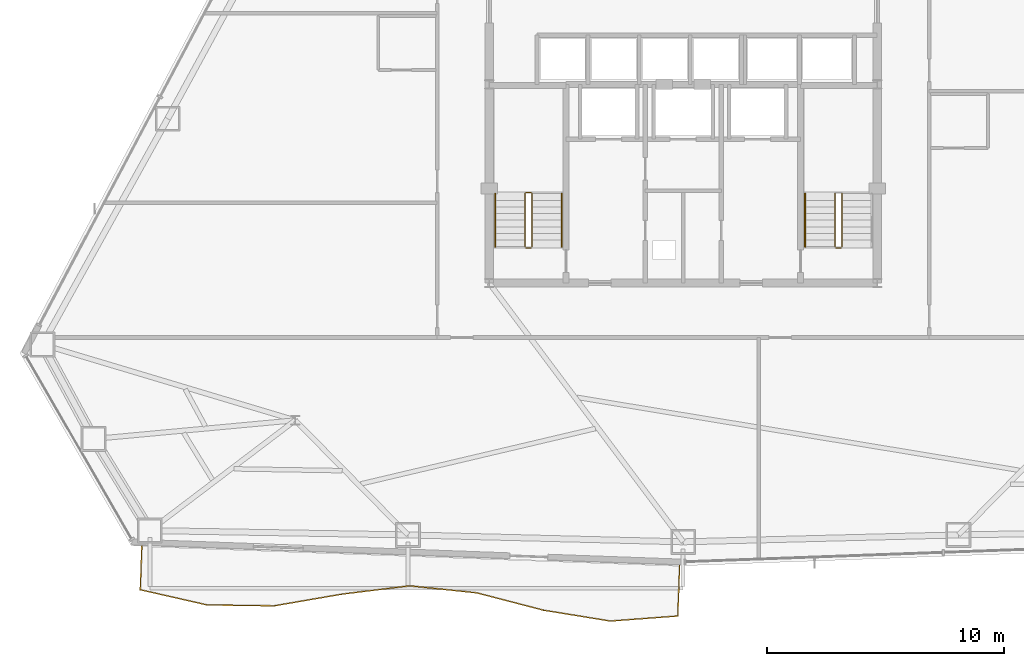
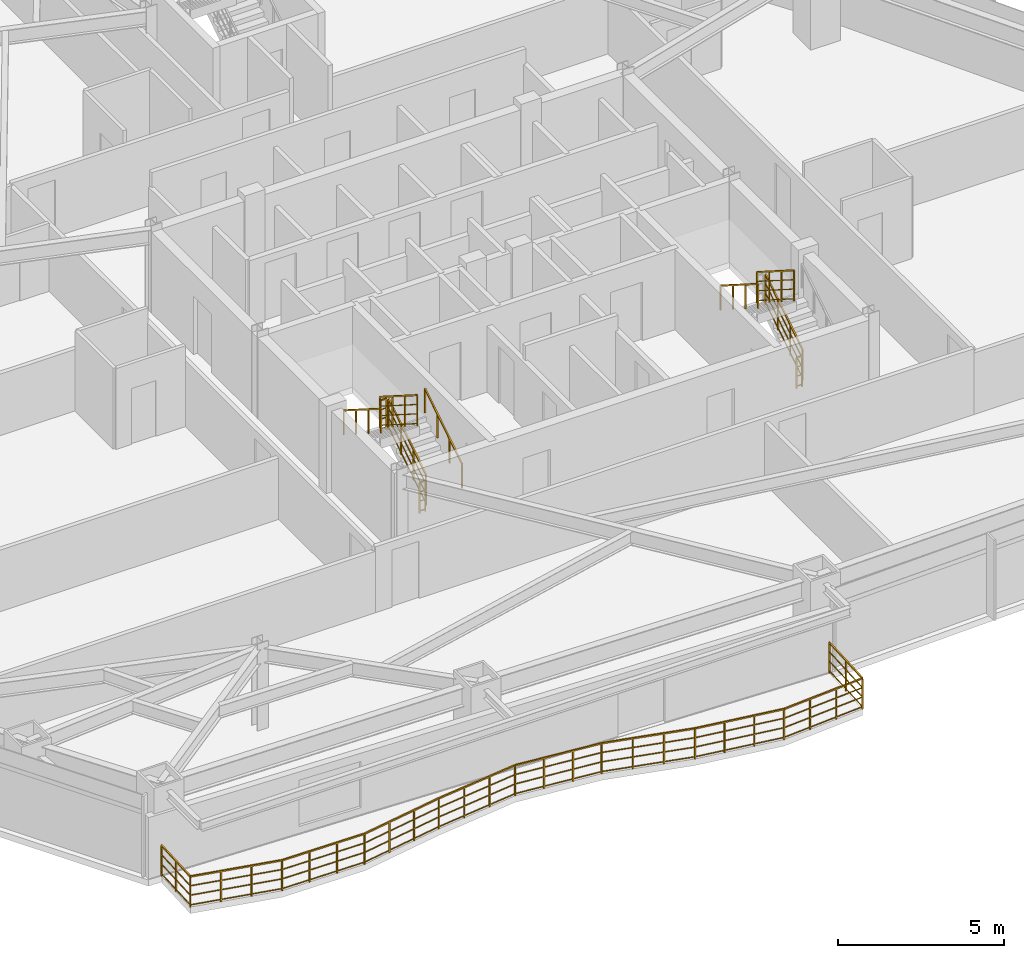
# One storey, part 12 of 13: 20 railings.
"""IFC4 building model written with IfcOpenShell, lengths in metres."""

from ifc_helpers import new_model, si_unit, direction, frame, origin, origin_2d, place, context, subcontext, project, spatial, rectangle, extrude, material, type_object, element, save


model = new_model("IFC4")

# Units and contexts
model_context = context("Model", 3, precision=1e-05, world=origin(), true_north=direction((0.0, 1.0)))
body_context = subcontext(model_context, "Body", "Model", "MODEL_VIEW")
ifc_project = project(units=[si_unit("LENGTHUNIT", "METRE"), si_unit("AREAUNIT", "SQUARE_METRE"), si_unit("VOLUMEUNIT", "CUBIC_METRE"), si_unit("PLANEANGLEUNIT", "RADIAN"), si_unit("MASSUNIT", "GRAM", prefix="KILO")], contexts=[model_context])

# Site, building, storey
site_placement = place(None, origin())
site = spatial("IfcSite", under=ifc_project, at=site_placement, CompositionType="ELEMENT")
building_placement = place(site_placement, origin())
building = spatial("IfcBuilding", under=site, at=building_placement, Name="Varakhsha Concourse Tower", CompositionType="ELEMENT")
storey_placement = place(building_placement, frame((0.0, 0.0, 92.60009765625)))
storey = spatial("IfcBuildingStorey", under=building, at=storey_placement, Name="L26", CompositionType="ELEMENT", Elevation=92.60009765625)

# Railings
ifc_material_1 = material(Name="Laminated Structural Low-Iron Glass 52 mm", Category="glass")
railing_type_1 = type_object("IfcRailingType", Name="RL-BALUSTRADE-1150", PredefinedType="BALUSTRADE", material=ifc_material_1)
railing_1_placement = place(storey_placement, frame((17.114013671875, 5.28369140625, 0.0)))
element("IfcRailing", 1, at=railing_1_placement, inside=storey, type_object=railing_type_1, Name="L26 Perimeter Safety Balustrade RL-LOG-L26-01", PredefinedType="BALUSTRADE", context=body_context, shape_type="SweptSolid", body=[
    extrude(rectangle(XDim=0.048095703125, YDim=0.048095703125, at=origin_2d()), frame((0.0, 0.0, 1.1259765625), z_axis=(-0.036552870275, -0.999331720539, 0.0), x_axis=(0.999331720539, -0.036552870275, 0.0)), (0.0, 0.0, 1.0), 1.85009765625),
    extrude(rectangle(XDim=0.028076171875, YDim=0.028076171875, at=origin_2d()), frame((0.0, 0.0, 0.080078125), z_axis=(-0.036552870275, -0.999331720539, 0.0), x_axis=(0.999331720539, -0.036552870275, 0.0)), (0.0, 0.0, 1.0), 1.85009765625),
    extrude(rectangle(XDim=0.028076171875, YDim=0.028076171875, at=origin_2d()), frame((0.0, 0.0, 0.43701171875), z_axis=(-0.036552870275, -0.999331720539, 0.0), x_axis=(0.999331720539, -0.036552870275, 0.0)), (0.0, 0.0, 1.0), 1.85009765625),
    extrude(rectangle(XDim=0.028076171875, YDim=0.028076171875, at=origin_2d()), frame((0.0, 0.0, 0.781982421875), z_axis=(-0.036552870275, -0.999331720539, 0.0), x_axis=(0.999331720539, -0.036552870275, 0.0)), (0.0, 0.0, 1.0), 1.85009765625),
    extrude(rectangle(XDim=0.0419921875, YDim=0.0419921875, at=origin_2d()), origin(), (0.0, 0.0, 1.0), 1.101806640625),
    extrude(rectangle(XDim=0.0419921875, YDim=0.0419921875, at=origin_2d()), frame((-0.03369140625, -0.92431640625, 0.0)), (0.0, 0.0, 1.0), 1.101806640625),
    extrude(rectangle(XDim=0.0419921875, YDim=0.0419921875, at=origin_2d()), frame((-0.067626953125, -1.848876953125, 0.0)), (0.0, 0.0, 1.0), 1.101806640625),
])
railing_2_placement = place(storey_placement, frame((17.04638671875, 3.434814453125, 0.0)))
element("IfcRailing", 2, at=railing_2_placement, inside=storey, type_object=railing_type_1, Name="L26 Perimeter Safety Balustrade RL-LOG-L26-02", PredefinedType="BALUSTRADE", context=body_context, shape_type="SweptSolid", body=[
    extrude(rectangle(XDim=0.048095703125, YDim=0.048095703125, at=origin_2d()), frame((0.0, 0.0, 1.1259765625), z_axis=(0.975069020941, -0.221901789992, 0.0), x_axis=(0.221901789992, 0.975069020941, 0.0)), (0.0, 0.0, 1.0), 2.894775390625),
    extrude(rectangle(XDim=0.028076171875, YDim=0.028076171875, at=origin_2d()), frame((0.0, 0.0, 0.080078125), z_axis=(0.975069020941, -0.221901789992, 0.0), x_axis=(0.221901789992, 0.975069020941, 0.0)), (0.0, 0.0, 1.0), 2.894775390625),
    extrude(rectangle(XDim=0.028076171875, YDim=0.028076171875, at=origin_2d()), frame((0.0, 0.0, 0.43701171875), z_axis=(0.975069020941, -0.221901789992, 0.0), x_axis=(0.221901789992, 0.975069020941, 0.0)), (0.0, 0.0, 1.0), 2.894775390625),
    extrude(rectangle(XDim=0.028076171875, YDim=0.028076171875, at=origin_2d()), frame((0.0, 0.0, 0.781982421875), z_axis=(0.975069020941, -0.221901789992, 0.0), x_axis=(0.221901789992, 0.975069020941, 0.0)), (0.0, 0.0, 1.0), 2.894775390625),
    extrude(rectangle(XDim=0.0419921875, YDim=0.0419921875, at=origin_2d()), origin(), (0.0, 0.0, 1.0), 1.101806640625),
    extrude(rectangle(XDim=0.0419921875, YDim=0.0419921875, at=origin_2d()), frame((0.94091796875, -0.214111328125, 0.0)), (0.0, 0.0, 1.0), 1.101806640625),
    extrude(rectangle(XDim=0.0419921875, YDim=0.0419921875, at=origin_2d()), frame((1.881591796875, -0.42822265625, 0.0)), (0.0, 0.0, 1.0), 1.101806640625),
    extrude(rectangle(XDim=0.0419921875, YDim=0.0419921875, at=origin_2d()), frame((2.822509765625, -0.642333984375, 0.0)), (0.0, 0.0, 1.0), 1.101806640625),
])
railing_3_placement = place(storey_placement, frame((19.868896484375, 2.79248046875, 0.0)))
element("IfcRailing", 3, at=railing_3_placement, inside=storey, type_object=railing_type_1, Name="L26 Perimeter Safety Balustrade RL-LOG-L26-03", PredefinedType="BALUSTRADE", context=body_context, shape_type="SweptSolid", body=[
    extrude(rectangle(XDim=0.048095703125, YDim=0.048095703125, at=origin_2d()), frame((0.0, 0.0, 1.1259765625), z_axis=(0.999912656993, -0.013216595071, 0.0), x_axis=(0.013216595071, 0.999912656993, 0.0)), (0.0, 0.0, 1.0), 2.8447265625),
    extrude(rectangle(XDim=0.028076171875, YDim=0.028076171875, at=origin_2d()), frame((0.0, 0.0, 0.080078125), z_axis=(0.999912656993, -0.013216595071, 0.0), x_axis=(0.013216595071, 0.999912656993, 0.0)), (0.0, 0.0, 1.0), 2.8447265625),
    extrude(rectangle(XDim=0.028076171875, YDim=0.028076171875, at=origin_2d()), frame((0.0, 0.0, 0.43701171875), z_axis=(0.999912656993, -0.013216595071, 0.0), x_axis=(0.013216595071, 0.999912656993, 0.0)), (0.0, 0.0, 1.0), 2.8447265625),
    extrude(rectangle(XDim=0.028076171875, YDim=0.028076171875, at=origin_2d()), frame((0.0, 0.0, 0.781982421875), z_axis=(0.999912656993, -0.013216595071, 0.0), x_axis=(0.013216595071, 0.999912656993, 0.0)), (0.0, 0.0, 1.0), 2.8447265625),
    extrude(rectangle(XDim=0.0419921875, YDim=0.0419921875, at=origin_2d()), origin(), (0.0, 0.0, 1.0), 1.101806640625),
    extrude(rectangle(XDim=0.0419921875, YDim=0.0419921875, at=origin_2d()), frame((0.9482421875, -0.012451171875, 0.0)), (0.0, 0.0, 1.0), 1.101806640625),
    extrude(rectangle(XDim=0.0419921875, YDim=0.0419921875, at=origin_2d()), frame((1.896240234375, -0.025146484375, 0.0)), (0.0, 0.0, 1.0), 1.101806640625),
    extrude(rectangle(XDim=0.0419921875, YDim=0.0419921875, at=origin_2d()), frame((2.844482421875, -0.03759765625, 0.0)), (0.0, 0.0, 1.0), 1.101806640625),
])
railing_4_placement = place(storey_placement, frame((22.71337890625, 2.7548828125, 0.0)))
element("IfcRailing", 4, at=railing_4_placement, inside=storey, type_object=railing_type_1, Name="L26 Perimeter Safety Balustrade RL-LOG-L26-04", PredefinedType="BALUSTRADE", context=body_context, shape_type="SweptSolid", body=[
    extrude(rectangle(XDim=0.048095703125, YDim=0.048095703125, at=origin_2d()), frame((0.0, 0.0, 1.1259765625), z_axis=(0.985479996749, 0.169791566362, 0.0), x_axis=(-0.169791566362, 0.985479996749, 0.0)), (0.0, 0.0, 1.0), 2.906005859375),
    extrude(rectangle(XDim=0.028076171875, YDim=0.028076171875, at=origin_2d()), frame((0.0, 0.0, 0.080078125), z_axis=(0.985479996749, 0.169791566362, 0.0), x_axis=(-0.169791566362, 0.985479996749, 0.0)), (0.0, 0.0, 1.0), 2.906005859375),
    extrude(rectangle(XDim=0.028076171875, YDim=0.028076171875, at=origin_2d()), frame((0.0, 0.0, 0.43701171875), z_axis=(0.985479996749, 0.169791566362, 0.0), x_axis=(-0.169791566362, 0.985479996749, 0.0)), (0.0, 0.0, 1.0), 2.906005859375),
    extrude(rectangle(XDim=0.028076171875, YDim=0.028076171875, at=origin_2d()), frame((0.0, 0.0, 0.781982421875), z_axis=(0.985479996749, 0.169791566362, 0.0), x_axis=(-0.169791566362, 0.985479996749, 0.0)), (0.0, 0.0, 1.0), 2.906005859375),
    extrude(rectangle(XDim=0.0419921875, YDim=0.0419921875, at=origin_2d()), origin(), (0.0, 0.0, 1.0), 1.101806640625),
    extrude(rectangle(XDim=0.0419921875, YDim=0.0419921875, at=origin_2d()), frame((0.95458984375, 0.16455078125, 0.0)), (0.0, 0.0, 1.0), 1.101806640625),
    extrude(rectangle(XDim=0.0419921875, YDim=0.0419921875, at=origin_2d()), frame((1.9091796875, 0.328857421875, 0.0)), (0.0, 0.0, 1.0), 1.101806640625),
    extrude(rectangle(XDim=0.0419921875, YDim=0.0419921875, at=origin_2d()), frame((2.86376953125, 0.493408203125, 0.0)), (0.0, 0.0, 1.0), 1.101806640625),
])
railing_5_placement = place(storey_placement, frame((25.5771484375, 3.248291015625, 0.0)))
element("IfcRailing", 5, at=railing_5_placement, inside=storey, type_object=railing_type_1, Name="L26 Perimeter Safety Balustrade RL-LOG-L26-05", PredefinedType="BALUSTRADE", context=body_context, shape_type="SweptSolid", body=[
    extrude(rectangle(XDim=0.048095703125, YDim=0.048095703125, at=origin_2d()), frame((0.0, 0.0, 1.1259765625), z_axis=(0.992419356163, 0.122897605811, 0.0), x_axis=(-0.122897605811, 0.992419356163, 0.0)), (0.0, 0.0, 1.0), 2.88037109375),
    extrude(rectangle(XDim=0.028076171875, YDim=0.028076171875, at=origin_2d()), frame((0.0, 0.0, 0.080078125), z_axis=(0.992419356163, 0.122897605811, 0.0), x_axis=(-0.122897605811, 0.992419356163, 0.0)), (0.0, 0.0, 1.0), 2.88037109375),
    extrude(rectangle(XDim=0.028076171875, YDim=0.028076171875, at=origin_2d()), frame((0.0, 0.0, 0.43701171875), z_axis=(0.992419356163, 0.122897605811, 0.0), x_axis=(-0.122897605811, 0.992419356163, 0.0)), (0.0, 0.0, 1.0), 2.88037109375),
    extrude(rectangle(XDim=0.028076171875, YDim=0.028076171875, at=origin_2d()), frame((0.0, 0.0, 0.781982421875), z_axis=(0.992419356163, 0.122897605811, 0.0), x_axis=(-0.122897605811, 0.992419356163, 0.0)), (0.0, 0.0, 1.0), 2.88037109375),
    extrude(rectangle(XDim=0.0419921875, YDim=0.0419921875, at=origin_2d()), origin(), (0.0, 0.0, 1.0), 1.101806640625),
    extrude(rectangle(XDim=0.0419921875, YDim=0.0419921875, at=origin_2d()), frame((0.952880859375, 0.117919921875, 0.0)), (0.0, 0.0, 1.0), 1.101806640625),
    extrude(rectangle(XDim=0.0419921875, YDim=0.0419921875, at=origin_2d()), frame((1.90576171875, 0.236083984375, 0.0)), (0.0, 0.0, 1.0), 1.101806640625),
    extrude(rectangle(XDim=0.0419921875, YDim=0.0419921875, at=origin_2d()), frame((2.858642578125, 0.35400390625, 0.0)), (0.0, 0.0, 1.0), 1.101806640625),
])
railing_6_placement = place(storey_placement, frame((28.435791015625, 3.602294921875, 0.0)))
element("IfcRailing", 6, at=railing_6_placement, inside=storey, type_object=railing_type_1, Name="L26 Perimeter Safety Balustrade RL-LOG-L26-06", PredefinedType="BALUSTRADE", context=body_context, shape_type="SweptSolid", body=[
    extrude(rectangle(XDim=0.048095703125, YDim=0.048095703125, at=origin_2d()), frame((0.0, 0.0, 1.1259765625), z_axis=(0.99446360911, -0.105081540508, 0.0), x_axis=(0.105081540508, 0.99446360911, 0.0)), (0.0, 0.0, 1.0), 2.850830078125),
    extrude(rectangle(XDim=0.028076171875, YDim=0.028076171875, at=origin_2d()), frame((0.0, 0.0, 0.080078125), z_axis=(0.99446360911, -0.105081540508, 0.0), x_axis=(0.105081540508, 0.99446360911, 0.0)), (0.0, 0.0, 1.0), 2.850830078125),
    extrude(rectangle(XDim=0.028076171875, YDim=0.028076171875, at=origin_2d()), frame((0.0, 0.0, 0.43701171875), z_axis=(0.99446360911, -0.105081540508, 0.0), x_axis=(0.105081540508, 0.99446360911, 0.0)), (0.0, 0.0, 1.0), 2.850830078125),
    extrude(rectangle(XDim=0.028076171875, YDim=0.028076171875, at=origin_2d()), frame((0.0, 0.0, 0.781982421875), z_axis=(0.99446360911, -0.105081540508, 0.0), x_axis=(0.105081540508, 0.99446360911, 0.0)), (0.0, 0.0, 1.0), 2.850830078125),
    extrude(rectangle(XDim=0.0419921875, YDim=0.0419921875, at=origin_2d()), origin(), (0.0, 0.0, 1.0), 1.101806640625),
    extrude(rectangle(XDim=0.0419921875, YDim=0.0419921875, at=origin_2d()), frame((0.945068359375, -0.099853515625, 0.0)), (0.0, 0.0, 1.0), 1.101806640625),
    extrude(rectangle(XDim=0.0419921875, YDim=0.0419921875, at=origin_2d()), frame((1.889892578125, -0.19970703125, 0.0)), (0.0, 0.0, 1.0), 1.101806640625),
    extrude(rectangle(XDim=0.0419921875, YDim=0.0419921875, at=origin_2d()), frame((2.8349609375, -0.299560546875, 0.0)), (0.0, 0.0, 1.0), 1.101806640625),
])
railing_7_placement = place(storey_placement, frame((31.270751953125, 3.302734375, 0.0)))
element("IfcRailing", 7, at=railing_7_placement, inside=storey, type_object=railing_type_1, Name="L26 Perimeter Safety Balustrade RL-LOG-L26-07", PredefinedType="BALUSTRADE", context=body_context, shape_type="SweptSolid", body=[
    extrude(rectangle(XDim=0.048095703125, YDim=0.048095703125, at=origin_2d()), frame((0.0, 0.0, 1.1259765625), z_axis=(0.967867808457, -0.251459550132, 0.0), x_axis=(0.251459550132, 0.967867808457, 0.0)), (0.0, 0.0, 1.0), 2.91259765625),
    extrude(rectangle(XDim=0.028076171875, YDim=0.028076171875, at=origin_2d()), frame((0.0, 0.0, 0.080078125), z_axis=(0.967867808457, -0.251459550132, 0.0), x_axis=(0.251459550132, 0.967867808457, 0.0)), (0.0, 0.0, 1.0), 2.91259765625),
    extrude(rectangle(XDim=0.028076171875, YDim=0.028076171875, at=origin_2d()), frame((0.0, 0.0, 0.43701171875), z_axis=(0.967867808457, -0.251459550132, 0.0), x_axis=(0.251459550132, 0.967867808457, 0.0)), (0.0, 0.0, 1.0), 2.91259765625),
    extrude(rectangle(XDim=0.028076171875, YDim=0.028076171875, at=origin_2d()), frame((0.0, 0.0, 0.781982421875), z_axis=(0.967867808457, -0.251459550132, 0.0), x_axis=(0.251459550132, 0.967867808457, 0.0)), (0.0, 0.0, 1.0), 2.91259765625),
    extrude(rectangle(XDim=0.0419921875, YDim=0.0419921875, at=origin_2d()), origin(), (0.0, 0.0, 1.0), 1.101806640625),
    extrude(rectangle(XDim=0.0419921875, YDim=0.0419921875, at=origin_2d()), frame((0.939697265625, -0.244140625, 0.0)), (0.0, 0.0, 1.0), 1.101806640625),
    extrude(rectangle(XDim=0.0419921875, YDim=0.0419921875, at=origin_2d()), frame((1.87939453125, -0.48828125, 0.0)), (0.0, 0.0, 1.0), 1.101806640625),
    extrude(rectangle(XDim=0.0419921875, YDim=0.0419921875, at=origin_2d()), frame((2.819091796875, -0.732421875, 0.0)), (0.0, 0.0, 1.0), 1.101806640625),
])
railing_8_placement = place(storey_placement, frame((34.08984375, 2.5703125, 0.0)))
element("IfcRailing", 8, at=railing_8_placement, inside=storey, type_object=railing_type_1, Name="L26 Perimeter Safety Balustrade RL-LOG-L26-08", PredefinedType="BALUSTRADE", context=body_context, shape_type="SweptSolid", body=[
    extrude(rectangle(XDim=0.048095703125, YDim=0.048095703125, at=origin_2d()), frame((0.0, 0.0, 1.1259765625), z_axis=(0.987053408889, -0.160391919998, 0.0), x_axis=(0.160391919998, 0.987053408889, 0.0)), (0.0, 0.0, 1.0), 2.8662109375),
    extrude(rectangle(XDim=0.028076171875, YDim=0.028076171875, at=origin_2d()), frame((0.0, 0.0, 0.080078125), z_axis=(0.987053408889, -0.160391919998, 0.0), x_axis=(0.160391919998, 0.987053408889, 0.0)), (0.0, 0.0, 1.0), 2.8662109375),
    extrude(rectangle(XDim=0.028076171875, YDim=0.028076171875, at=origin_2d()), frame((0.0, 0.0, 0.43701171875), z_axis=(0.987053408889, -0.160391919998, 0.0), x_axis=(0.160391919998, 0.987053408889, 0.0)), (0.0, 0.0, 1.0), 2.8662109375),
    extrude(rectangle(XDim=0.028076171875, YDim=0.028076171875, at=origin_2d()), frame((0.0, 0.0, 0.781982421875), z_axis=(0.987053408889, -0.160391919998, 0.0), x_axis=(0.160391919998, 0.987053408889, 0.0)), (0.0, 0.0, 1.0), 2.8662109375),
    extrude(rectangle(XDim=0.0419921875, YDim=0.0419921875, at=origin_2d()), origin(), (0.0, 0.0, 1.0), 1.101806640625),
    extrude(rectangle(XDim=0.0419921875, YDim=0.0419921875, at=origin_2d()), frame((0.943115234375, -0.1533203125, 0.0)), (0.0, 0.0, 1.0), 1.101806640625),
    extrude(rectangle(XDim=0.0419921875, YDim=0.0419921875, at=origin_2d()), frame((1.885986328125, -0.306396484375, 0.0)), (0.0, 0.0, 1.0), 1.101806640625),
    extrude(rectangle(XDim=0.0419921875, YDim=0.0419921875, at=origin_2d()), frame((2.8291015625, -0.459716796875, 0.0)), (0.0, 0.0, 1.0), 1.101806640625),
])
railing_9_placement = place(storey_placement, frame((36.9189453125, 2.110595703125, 0.0)))
element("IfcRailing", 9, at=railing_9_placement, inside=storey, type_object=railing_type_1, Name="L26 Perimeter Safety Balustrade RL-LOG-L26-09", PredefinedType="BALUSTRADE", context=body_context, shape_type="SweptSolid", body=[
    extrude(rectangle(XDim=0.048095703125, YDim=0.048095703125, at=origin_2d()), frame((0.0, 0.0, 1.1259765625), z_axis=(0.997222170704, 0.074484510183, 0.0), x_axis=(-0.074484510183, 0.997222170704, 0.0)), (0.0, 0.0, 1.0), 2.861572265625),
    extrude(rectangle(XDim=0.028076171875, YDim=0.028076171875, at=origin_2d()), frame((0.0, 0.0, 0.080078125), z_axis=(0.997222170704, 0.074484510183, 0.0), x_axis=(-0.074484510183, 0.997222170704, 0.0)), (0.0, 0.0, 1.0), 2.861572265625),
    extrude(rectangle(XDim=0.028076171875, YDim=0.028076171875, at=origin_2d()), frame((0.0, 0.0, 0.43701171875), z_axis=(0.997222170704, 0.074484510183, 0.0), x_axis=(-0.074484510183, 0.997222170704, 0.0)), (0.0, 0.0, 1.0), 2.861572265625),
    extrude(rectangle(XDim=0.028076171875, YDim=0.028076171875, at=origin_2d()), frame((0.0, 0.0, 0.781982421875), z_axis=(0.997222170704, 0.074484510183, 0.0), x_axis=(-0.074484510183, 0.997222170704, 0.0)), (0.0, 0.0, 1.0), 2.861572265625),
    extrude(rectangle(XDim=0.0419921875, YDim=0.0419921875, at=origin_2d()), origin(), (0.0, 0.0, 1.0), 1.101806640625),
    extrude(rectangle(XDim=0.0419921875, YDim=0.0419921875, at=origin_2d()), frame((0.951171875, 0.071044921875, 0.0)), (0.0, 0.0, 1.0), 1.101806640625),
    extrude(rectangle(XDim=0.0419921875, YDim=0.0419921875, at=origin_2d()), frame((1.90234375, 0.14208984375, 0.0)), (0.0, 0.0, 1.0), 1.101806640625),
    extrude(rectangle(XDim=0.0419921875, YDim=0.0419921875, at=origin_2d()), frame((2.853515625, 0.213134765625, 0.0)), (0.0, 0.0, 1.0), 1.101806640625),
])
railing_10_placement = place(storey_placement, frame((39.7724609375, 2.32373046875, 0.0)))
element("IfcRailing", 10, at=railing_10_placement, inside=storey, type_object=railing_type_1, Name="L26 Perimeter Safety Balustrade RL-LOG-L26-10", PredefinedType="BALUSTRADE", context=body_context, shape_type="SweptSolid", body=[
    extrude(rectangle(XDim=0.048095703125, YDim=0.048095703125, at=origin_2d()), frame((0.0, 0.0, 1.1259765625), z_axis=(0.036401974646, 0.999337228488, 0.0), x_axis=(-0.999337228488, 0.036401974646, 0.0)), (0.0, 0.0, 1.0), 2.1328125),
    extrude(rectangle(XDim=0.028076171875, YDim=0.028076171875, at=origin_2d()), frame((0.0, 0.0, 0.080078125), z_axis=(0.036401974646, 0.999337228488, 0.0), x_axis=(-0.999337228488, 0.036401974646, 0.0)), (0.0, 0.0, 1.0), 2.1328125),
    extrude(rectangle(XDim=0.028076171875, YDim=0.028076171875, at=origin_2d()), frame((0.0, 0.0, 0.43701171875), z_axis=(0.036401974646, 0.999337228488, 0.0), x_axis=(-0.999337228488, 0.036401974646, 0.0)), (0.0, 0.0, 1.0), 2.1328125),
    extrude(rectangle(XDim=0.028076171875, YDim=0.028076171875, at=origin_2d()), frame((0.0, 0.0, 0.781982421875), z_axis=(0.036401974646, 0.999337228488, 0.0), x_axis=(-0.999337228488, 0.036401974646, 0.0)), (0.0, 0.0, 1.0), 2.1328125),
    extrude(rectangle(XDim=0.0419921875, YDim=0.0419921875, at=origin_2d()), origin(), (0.0, 0.0, 1.0), 1.101806640625),
    extrude(rectangle(XDim=0.0419921875, YDim=0.0419921875, at=origin_2d()), frame((0.038818359375, 1.065673828125, 0.0)), (0.0, 0.0, 1.0), 1.101806640625),
    extrude(rectangle(XDim=0.0419921875, YDim=0.0419921875, at=origin_2d()), frame((0.07763671875, 2.13134765625, 0.0)), (0.0, 0.0, 1.0), 1.101806640625),
])
ifc_material_2 = material(Name="Brushed Austenitic Stainless Steel AISI 316", Category="steel")
railing_type_2 = type_object("IfcRailingType", Name="RL-STAIR-GUARD-1100", PredefinedType="GUARDRAIL", material=ifc_material_2)
railing_11_placement = place(storey_placement, frame((33.610107421875, 17.93994140625, 0.177734375)))
element("IfcRailing", 11, at=railing_11_placement, inside=storey, type_object=railing_type_2, Name="L26 ST1 stair guard 1", PredefinedType="GUARDRAIL", context=body_context, shape_type="SweptSolid", body=[
    extrude(rectangle(XDim=0.048095703125, YDim=0.048095703125, at=origin_2d()), frame((0.0, 0.0, 1.1259765625), z_axis=(0.0, 0.8442293374, 0.53598211339), x_axis=(-1.0, 0.0, 0.0)), (0.0, 0.0, 1.0), 2.6533203125),
    extrude(rectangle(XDim=0.028076171875, YDim=0.028076171875, at=origin_2d()), frame((0.0, 0.0, 0.080078125), z_axis=(0.0, 0.8442293374, 0.53598211339), x_axis=(-1.0, 0.0, 0.0)), (0.0, 0.0, 1.0), 2.6533203125),
    extrude(rectangle(XDim=0.028076171875, YDim=0.028076171875, at=origin_2d()), frame((0.0, 0.0, 0.43701171875), z_axis=(0.0, 0.8442293374, 0.53598211339), x_axis=(-1.0, 0.0, 0.0)), (0.0, 0.0, 1.0), 2.6533203125),
    extrude(rectangle(XDim=0.028076171875, YDim=0.028076171875, at=origin_2d()), frame((0.0, 0.0, 0.781982421875), z_axis=(0.0, 0.8442293374, 0.53598211339), x_axis=(-1.0, 0.0, 0.0)), (0.0, 0.0, 1.0), 2.6533203125),
    extrude(rectangle(XDim=0.0419921875, YDim=0.0419921875, at=origin_2d()), origin(), (0.0, 0.0, 1.0), 1.101806640625),
    extrude(rectangle(XDim=0.0419921875, YDim=0.0419921875, at=origin_2d()), frame((0.0, 0.74658203125, 0.47412109375)), (0.0, 0.0, 1.0), 1.101806640625),
    extrude(rectangle(XDim=0.0419921875, YDim=0.0419921875, at=origin_2d()), frame((0.0, 1.493408203125, 0.947998046875)), (0.0, 0.0, 1.0), 1.101806640625),
    extrude(rectangle(XDim=0.0419921875, YDim=0.0419921875, at=origin_2d()), frame((0.0, 2.239990234375, 1.422119140625)), (0.0, 0.0, 1.0), 1.101806640625),
])
railing_12_placement = place(storey_placement, frame((33.56005859375, 20.22998046875, 1.599853515625)))
element("IfcRailing", 12, at=railing_12_placement, inside=storey, type_object=railing_type_2, Name="L26 ST1 stair guard 2", PredefinedType="GUARDRAIL", context=body_context, shape_type="SweptSolid", body=[
    extrude(rectangle(XDim=0.048095703125, YDim=0.048095703125, at=origin_2d()), frame((0.0, 0.0, 1.1259765625), z_axis=(-1.0, 0.0, 0.0), x_axis=(0.0, -1.0, 0.0)), (0.0, 0.0, 1.0), 0.199951171875),
    extrude(rectangle(XDim=0.028076171875, YDim=0.028076171875, at=origin_2d()), frame((0.0, 0.0, 0.080078125), z_axis=(-1.0, 0.0, 0.0), x_axis=(0.0, -1.0, 0.0)), (0.0, 0.0, 1.0), 0.199951171875),
    extrude(rectangle(XDim=0.028076171875, YDim=0.028076171875, at=origin_2d()), frame((0.0, 0.0, 0.43701171875), z_axis=(-1.0, 0.0, 0.0), x_axis=(0.0, -1.0, 0.0)), (0.0, 0.0, 1.0), 0.199951171875),
    extrude(rectangle(XDim=0.028076171875, YDim=0.028076171875, at=origin_2d()), frame((0.0, 0.0, 0.781982421875), z_axis=(-1.0, 0.0, 0.0), x_axis=(0.0, -1.0, 0.0)), (0.0, 0.0, 1.0), 0.199951171875),
    extrude(rectangle(XDim=0.0419921875, YDim=0.0419921875, at=origin_2d()), origin(), (0.0, 0.0, 1.0), 1.101806640625),
    extrude(rectangle(XDim=0.0419921875, YDim=0.0419921875, at=origin_2d()), frame((-0.199951171875, 0.0, 0.0)), (0.0, 0.0, 1.0), 1.101806640625),
])
railing_13_placement = place(storey_placement, frame((33.31005859375, 20.179931640625, 1.777587890625)))
element("IfcRailing", 13, at=railing_13_placement, inside=storey, type_object=railing_type_2, Name="L26 ST1 stair guard 3", PredefinedType="GUARDRAIL", context=body_context, shape_type="SweptSolid", body=[
    extrude(rectangle(XDim=0.048095703125, YDim=0.048095703125, at=origin_2d()), frame((0.0, 0.0, 1.1259765625), z_axis=(0.0, -0.84418770128, 0.536047689118), x_axis=(1.0, 0.0, 0.0)), (0.0, 0.0, 1.0), 2.6533203125),
    extrude(rectangle(XDim=0.028076171875, YDim=0.028076171875, at=origin_2d()), frame((0.0, 0.0, 0.080078125), z_axis=(0.0, -0.84418770128, 0.536047689118), x_axis=(1.0, 0.0, 0.0)), (0.0, 0.0, 1.0), 2.6533203125),
    extrude(rectangle(XDim=0.028076171875, YDim=0.028076171875, at=origin_2d()), frame((0.0, 0.0, 0.43701171875), z_axis=(0.0, -0.84418770128, 0.536047689118), x_axis=(1.0, 0.0, 0.0)), (0.0, 0.0, 1.0), 2.6533203125),
    extrude(rectangle(XDim=0.028076171875, YDim=0.028076171875, at=origin_2d()), frame((0.0, 0.0, 0.781982421875), z_axis=(0.0, -0.84418770128, 0.536047689118), x_axis=(1.0, 0.0, 0.0)), (0.0, 0.0, 1.0), 2.6533203125),
    extrude(rectangle(XDim=0.0419921875, YDim=0.0419921875, at=origin_2d()), origin(), (0.0, 0.0, 1.0), 1.101806640625),
    extrude(rectangle(XDim=0.0419921875, YDim=0.0419921875, at=origin_2d()), frame((0.0, -0.74658203125, 0.47412109375)), (0.0, 0.0, 1.0), 1.101806640625),
    extrude(rectangle(XDim=0.0419921875, YDim=0.0419921875, at=origin_2d()), frame((0.0, -1.493408203125, 0.9482421875)), (0.0, 0.0, 1.0), 1.101806640625),
    extrude(rectangle(XDim=0.0419921875, YDim=0.0419921875, at=origin_2d()), frame((0.0, -2.239990234375, 1.42236328125)), (0.0, 0.0, 1.0), 1.101806640625),
])
railing_14_placement = place(storey_placement, frame((33.56005859375, 17.889892578125, 0.0)))
element("IfcRailing", 14, at=railing_14_placement, inside=storey, type_object=railing_type_2, Name="L26 ST1 stair guard 4", PredefinedType="GUARDRAIL", context=body_context, shape_type="SweptSolid", body=[
    extrude(rectangle(XDim=0.048095703125, YDim=0.048095703125, at=origin_2d()), frame((0.0, 0.0, 1.1259765625), z_axis=(-1.0, 0.0, 0.0), x_axis=(0.0, -1.0, 0.0)), (0.0, 0.0, 1.0), 0.199951171875),
    extrude(rectangle(XDim=0.028076171875, YDim=0.028076171875, at=origin_2d()), frame((0.0, 0.0, 0.080078125), z_axis=(-1.0, 0.0, 0.0), x_axis=(0.0, -1.0, 0.0)), (0.0, 0.0, 1.0), 0.199951171875),
    extrude(rectangle(XDim=0.028076171875, YDim=0.028076171875, at=origin_2d()), frame((0.0, 0.0, 0.43701171875), z_axis=(-1.0, 0.0, 0.0), x_axis=(0.0, -1.0, 0.0)), (0.0, 0.0, 1.0), 0.199951171875),
    extrude(rectangle(XDim=0.028076171875, YDim=0.028076171875, at=origin_2d()), frame((0.0, 0.0, 0.781982421875), z_axis=(-1.0, 0.0, 0.0), x_axis=(0.0, -1.0, 0.0)), (0.0, 0.0, 1.0), 0.199951171875),
    extrude(rectangle(XDim=0.0419921875, YDim=0.0419921875, at=origin_2d()), origin(), (0.0, 0.0, 1.0), 1.101806640625),
    extrude(rectangle(XDim=0.0419921875, YDim=0.0419921875, at=origin_2d()), frame((-0.199951171875, 0.0, 0.0)), (0.0, 0.0, 1.0), 1.101806640625),
])
railing_15_placement = place(storey_placement, frame((46.7099609375, 17.93994140625, 0.177734375)))
element("IfcRailing", 15, at=railing_15_placement, inside=storey, type_object=railing_type_2, Name="L26 ST2 stair guard 1", PredefinedType="GUARDRAIL", context=body_context, shape_type="SweptSolid", body=[
    extrude(rectangle(XDim=0.048095703125, YDim=0.048095703125, at=origin_2d()), frame((0.0, 0.0, 1.1259765625), z_axis=(0.0, 0.8442293374, 0.53598211339), x_axis=(-1.0, 0.0, 0.0)), (0.0, 0.0, 1.0), 2.6533203125),
    extrude(rectangle(XDim=0.028076171875, YDim=0.028076171875, at=origin_2d()), frame((0.0, 0.0, 0.080078125), z_axis=(0.0, 0.8442293374, 0.53598211339), x_axis=(-1.0, 0.0, 0.0)), (0.0, 0.0, 1.0), 2.6533203125),
    extrude(rectangle(XDim=0.028076171875, YDim=0.028076171875, at=origin_2d()), frame((0.0, 0.0, 0.43701171875), z_axis=(0.0, 0.8442293374, 0.53598211339), x_axis=(-1.0, 0.0, 0.0)), (0.0, 0.0, 1.0), 2.6533203125),
    extrude(rectangle(XDim=0.028076171875, YDim=0.028076171875, at=origin_2d()), frame((0.0, 0.0, 0.781982421875), z_axis=(0.0, 0.8442293374, 0.53598211339), x_axis=(-1.0, 0.0, 0.0)), (0.0, 0.0, 1.0), 2.6533203125),
    extrude(rectangle(XDim=0.0419921875, YDim=0.0419921875, at=origin_2d()), origin(), (0.0, 0.0, 1.0), 1.101806640625),
    extrude(rectangle(XDim=0.0419921875, YDim=0.0419921875, at=origin_2d()), frame((0.0, 0.74658203125, 0.47412109375)), (0.0, 0.0, 1.0), 1.101806640625),
    extrude(rectangle(XDim=0.0419921875, YDim=0.0419921875, at=origin_2d()), frame((0.0, 1.493408203125, 0.947998046875)), (0.0, 0.0, 1.0), 1.101806640625),
    extrude(rectangle(XDim=0.0419921875, YDim=0.0419921875, at=origin_2d()), frame((0.0, 2.239990234375, 1.422119140625)), (0.0, 0.0, 1.0), 1.101806640625),
])
railing_16_placement = place(storey_placement, frame((46.409912109375, 20.179931640625, 1.777587890625)))
element("IfcRailing", 16, at=railing_16_placement, inside=storey, type_object=railing_type_2, Name="L26 ST2 stair guard 3", PredefinedType="GUARDRAIL", context=body_context, shape_type="SweptSolid", body=[
    extrude(rectangle(XDim=0.048095703125, YDim=0.048095703125, at=origin_2d()), frame((0.0, 0.0, 1.1259765625), z_axis=(0.0, -0.84418770128, 0.536047689118), x_axis=(1.0, 0.0, 0.0)), (0.0, 0.0, 1.0), 2.6533203125),
    extrude(rectangle(XDim=0.028076171875, YDim=0.028076171875, at=origin_2d()), frame((0.0, 0.0, 0.080078125), z_axis=(0.0, -0.84418770128, 0.536047689118), x_axis=(1.0, 0.0, 0.0)), (0.0, 0.0, 1.0), 2.6533203125),
    extrude(rectangle(XDim=0.028076171875, YDim=0.028076171875, at=origin_2d()), frame((0.0, 0.0, 0.43701171875), z_axis=(0.0, -0.84418770128, 0.536047689118), x_axis=(1.0, 0.0, 0.0)), (0.0, 0.0, 1.0), 2.6533203125),
    extrude(rectangle(XDim=0.028076171875, YDim=0.028076171875, at=origin_2d()), frame((0.0, 0.0, 0.781982421875), z_axis=(0.0, -0.84418770128, 0.536047689118), x_axis=(1.0, 0.0, 0.0)), (0.0, 0.0, 1.0), 2.6533203125),
    extrude(rectangle(XDim=0.0419921875, YDim=0.0419921875, at=origin_2d()), origin(), (0.0, 0.0, 1.0), 1.101806640625),
    extrude(rectangle(XDim=0.0419921875, YDim=0.0419921875, at=origin_2d()), frame((0.0, -0.74658203125, 0.47412109375)), (0.0, 0.0, 1.0), 1.101806640625),
    extrude(rectangle(XDim=0.0419921875, YDim=0.0419921875, at=origin_2d()), frame((0.0, -1.493408203125, 0.9482421875)), (0.0, 0.0, 1.0), 1.101806640625),
    extrude(rectangle(XDim=0.0419921875, YDim=0.0419921875, at=origin_2d()), frame((0.0, -2.239990234375, 1.42236328125)), (0.0, 0.0, 1.0), 1.101806640625),
])
railing_17_placement = place(storey_placement, frame((46.659912109375, 17.889892578125, 0.0)))
element("IfcRailing", 17, at=railing_17_placement, inside=storey, type_object=railing_type_2, Name="L26 ST2 stair guard 4", PredefinedType="GUARDRAIL", context=body_context, shape_type="SweptSolid", body=[
    extrude(rectangle(XDim=0.048095703125, YDim=0.048095703125, at=origin_2d()), frame((0.0, 0.0, 1.1259765625), z_axis=(-1.0, 0.0, 0.0), x_axis=(0.0, -1.0, 0.0)), (0.0, 0.0, 1.0), 0.199951171875),
    extrude(rectangle(XDim=0.028076171875, YDim=0.028076171875, at=origin_2d()), frame((0.0, 0.0, 0.080078125), z_axis=(-1.0, 0.0, 0.0), x_axis=(0.0, -1.0, 0.0)), (0.0, 0.0, 1.0), 0.199951171875),
    extrude(rectangle(XDim=0.028076171875, YDim=0.028076171875, at=origin_2d()), frame((0.0, 0.0, 0.43701171875), z_axis=(-1.0, 0.0, 0.0), x_axis=(0.0, -1.0, 0.0)), (0.0, 0.0, 1.0), 0.199951171875),
    extrude(rectangle(XDim=0.028076171875, YDim=0.028076171875, at=origin_2d()), frame((0.0, 0.0, 0.781982421875), z_axis=(-1.0, 0.0, 0.0), x_axis=(0.0, -1.0, 0.0)), (0.0, 0.0, 1.0), 0.199951171875),
    extrude(rectangle(XDim=0.0419921875, YDim=0.0419921875, at=origin_2d()), origin(), (0.0, 0.0, 1.0), 1.101806640625),
    extrude(rectangle(XDim=0.0419921875, YDim=0.0419921875, at=origin_2d()), frame((-0.199951171875, 0.0, 0.0)), (0.0, 0.0, 1.0), 1.101806640625),
])
railing_type_3 = type_object("IfcRailingType", Name="RL-STAIR-RAIL-915", PredefinedType="HANDRAIL", material=ifc_material_2)
railing_18_placement = place(storey_placement, frame((34.8701171875, 17.93994140625, 0.35546875)))
element("IfcRailing", 18, at=railing_18_placement, inside=storey, type_object=railing_type_3, Name="L26 ST1 stair handrail 1", PredefinedType="HANDRAIL", context=body_context, shape_type="SweptSolid", body=[
    extrude(rectangle(XDim=0.048095703125, YDim=0.048095703125, at=origin_2d()), frame((0.0, 0.0, 0.89111328125), z_axis=(0.0, 0.8442293374, 0.53598211339), x_axis=(-1.0, 0.0, 0.0)), (0.0, 0.0, 1.0), 2.6533203125),
    extrude(rectangle(XDim=0.0419921875, YDim=0.0419921875, at=origin_2d()), origin(), (0.0, 0.0, 1.0), 0.866943359375),
    extrude(rectangle(XDim=0.0419921875, YDim=0.0419921875, at=origin_2d()), frame((0.0, 0.74658203125, 0.47412109375)), (0.0, 0.0, 1.0), 0.866943359375),
    extrude(rectangle(XDim=0.0419921875, YDim=0.0419921875, at=origin_2d()), frame((0.0, 1.493408203125, 0.947998046875)), (0.0, 0.0, 1.0), 0.866943359375),
    extrude(rectangle(XDim=0.0419921875, YDim=0.0419921875, at=origin_2d()), frame((0.0, 2.239990234375, 1.422119140625)), (0.0, 0.0, 1.0), 0.866943359375),
])
for number, where, name in (
    (19, (32.050048828125, 20.179931640625, 1.95556640625), "L26 ST1 stair handrail 2"),
    (20, (45.14990234375, 20.179931640625, 1.95556640625), "L26 ST2 stair handrail 2"),
):
    element("IfcRailing", number, at=place(storey_placement, frame(where)), inside=storey, type_object=railing_type_3, Name=name, PredefinedType="HANDRAIL", context=body_context, shape_type="SweptSolid", body=[
        extrude(rectangle(XDim=0.048095703125, YDim=0.048095703125, at=origin_2d()), frame((0.0, 0.0, 0.89111328125), z_axis=(0.0, -0.8442293374, 0.53598211339), x_axis=(1.0, 0.0, 0.0)), (0.0, 0.0, 1.0), 2.6533203125),
        extrude(rectangle(XDim=0.0419921875, YDim=0.0419921875, at=origin_2d()), origin(), (0.0, 0.0, 1.0), 0.866943359375),
        extrude(rectangle(XDim=0.0419921875, YDim=0.0419921875, at=origin_2d()), frame((0.0, -0.74658203125, 0.47412109375)), (0.0, 0.0, 1.0), 0.866943359375),
        extrude(rectangle(XDim=0.0419921875, YDim=0.0419921875, at=origin_2d()), frame((0.0, -1.493408203125, 0.947998046875)), (0.0, 0.0, 1.0), 0.866943359375),
        extrude(rectangle(XDim=0.0419921875, YDim=0.0419921875, at=origin_2d()), frame((0.0, -2.239990234375, 1.422119140625)), (0.0, 0.0, 1.0), 0.866943359375),
    ])

save(model, "model.ifc")
